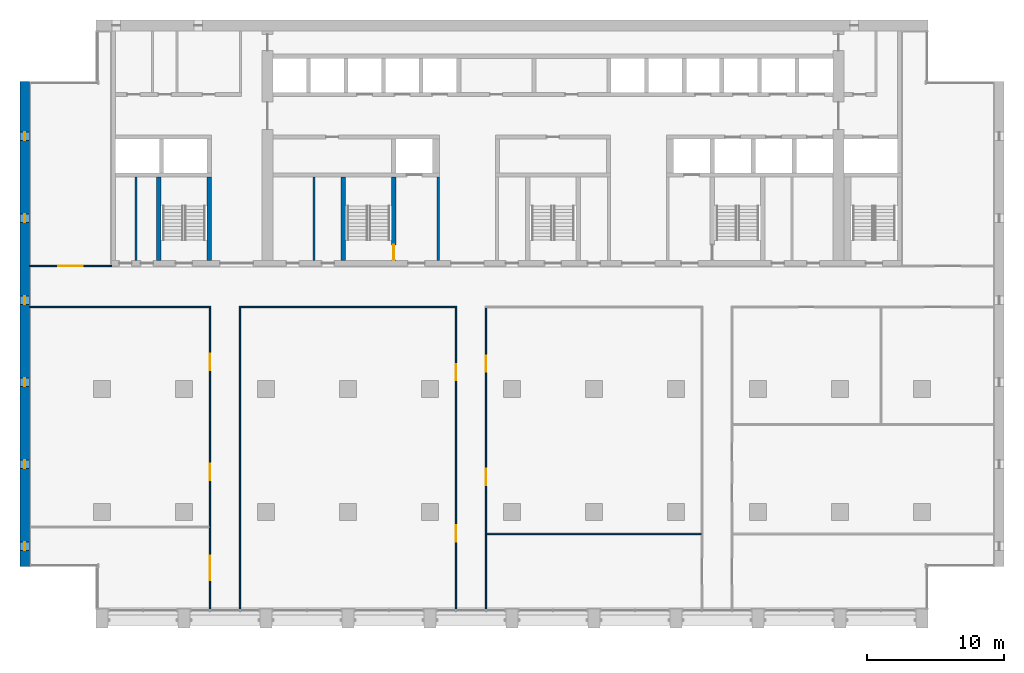
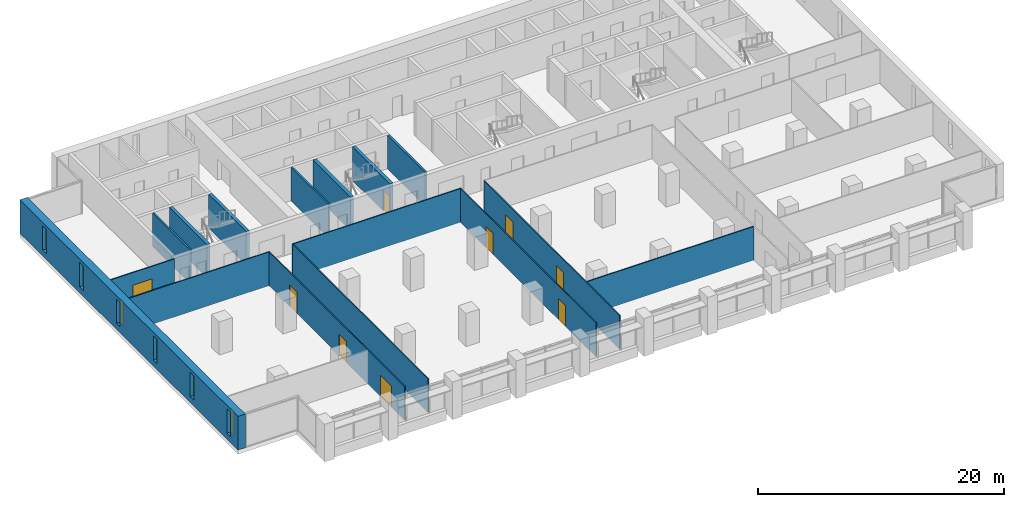
# One storey, part 8 of 16: 16 walls, 9 doors, 6 windows, 15 openings.
"""IFC4 building model written with IfcOpenShell, lengths in metres."""

from ifc_helpers import new_model, si_unit, direction, frame, frame_2d, origin, place, context, subcontext, project, spatial, rectangle, extrude, material, layer, layer_set, type_object, element, fill, save


model = new_model("IFC4")

# Units and contexts
model_context = context("Model", 3, precision=1e-05, world=origin(), true_north=direction((0.0, 1.0)))
body_context = subcontext(model_context, "Body", "Model", "MODEL_VIEW")
ifc_project = project(units=[si_unit("LENGTHUNIT", "METRE"), si_unit("AREAUNIT", "SQUARE_METRE"), si_unit("VOLUMEUNIT", "CUBIC_METRE"), si_unit("PLANEANGLEUNIT", "RADIAN"), si_unit("MASSUNIT", "GRAM", prefix="KILO")], contexts=[model_context])

# Site, building, storey
site_placement = place(None, origin())
site = spatial("IfcSite", under=ifc_project, at=site_placement, CompositionType="ELEMENT")
building_placement = place(site_placement, origin())
building = spatial("IfcBuilding", under=site, at=building_placement, Name="Calvaro Tower", CompositionType="ELEMENT")
storey_placement = place(building_placement, frame((0.0, 0.0, 140.0)))
storey = spatial("IfcBuildingStorey", under=building, at=storey_placement, Name="L35", CompositionType="ELEMENT", Elevation=140.0)

# Walls
ifc_material_1 = material(Name="Blockwork partition", Category="masonry")
ifc_layer_1 = layer(ifc_material_1, 0.14990234375)
ifc_layer_set_1 = layer_set([ifc_layer_1], Name="Blockwork partition")
wall_type_1 = type_object("IfcWallType", Name="Core partition 150 EI 60", PredefinedType="PARTITIONING", material=ifc_layer_set_1)
wall_1_placement = place(storey_placement, frame((8.5, 28.39990234375, 0.0), z_axis=(0.0, 0.0, 1.0), x_axis=(0.0, 1.0, 0.0)))
element("IfcWall", 1, at=wall_1_placement, inside=storey, type_object=wall_type_1, Name="Core partition", PredefinedType="PARTITIONING", context=body_context, shape_type="SweptSolid", body=[
    extrude(rectangle(XDim=6.10009765625, YDim=0.14990234375, at=frame_2d((3.050048828125, 0.0))), origin(), (0.0, 0.0, 1.0), 3.35009765625),
])
ifc_material_2 = material(Name="Blockwork partition", Category="masonry")
ifc_layer_2 = layer(ifc_material_2, 0.14990234375)
ifc_layer_set_2 = layer_set([ifc_layer_2], Name="Blockwork partition")
wall_type_2 = type_object("IfcWallType", Name="Core partition 150 REI 120", PredefinedType="PARTITIONING", material=ifc_layer_set_2)
wall_2_placement = place(storey_placement, frame((21.5, 28.39990234375, 0.0), z_axis=(0.0, 0.0, 1.0), x_axis=(0.0, 1.0, 0.0)))
element("IfcWall", 2, at=wall_2_placement, inside=storey, type_object=wall_type_2, Name="Core partition", PredefinedType="PARTITIONING", context=body_context, shape_type="SweptSolid", body=[
    extrude(rectangle(XDim=6.10009765625, YDim=0.14990234375, at=frame_2d((3.050048828125, 0.0))), origin(), (0.0, 0.0, 1.0), 3.35009765625),
])
ifc_material_3 = material(Name="Blockwork partition", Category="masonry")
ifc_layer_3 = layer(ifc_material_3, 0.199951171875)
ifc_layer_set_3 = layer_set([ifc_layer_3], Name="Blockwork partition")
wall_type_3 = type_object("IfcWallType", Name="Core partition 200 REI 120", PredefinedType="PARTITIONING", material=ifc_layer_set_3)
wall_3_placement = place(storey_placement, frame((30.60009765625, 28.39990234375, 0.0), z_axis=(0.0, 0.0, 1.0), x_axis=(0.0, 1.0, 0.0)))
element("IfcWall", 3, at=wall_3_placement, inside=storey, type_object=wall_type_3, Name="Core partition", PredefinedType="PARTITIONING", context=body_context, shape_type="SweptSolid", body=[
    extrude(rectangle(XDim=6.10009765625, YDim=0.199951171875, at=frame_2d((3.050048828125, 0.0))), origin(), (0.0, 0.0, 1.0), 3.35009765625),
])
ifc_material_4 = material(Name="Concrete C60/75", Category="concrete")
ifc_layer_4 = layer(ifc_material_4, 0.300048828125)
ifc_layer_set_4 = layer_set([ifc_layer_4], Name="Concrete C60/75")
wall_type_4 = type_object("IfcWallType", Name="Core wall C60/75 300", PredefinedType="SHEAR", material=ifc_layer_set_4)
for number, where, z_axis, x_axis, name in (
    (4, (10.14990234375, 28.39990234375, 0.0), (0.0, 0.0, 1.0), (0.0, 1.0, 0.0), "Core wall, stair enclosure"),
    (5, (13.85009765625, 28.39990234375, 0.0), (0.0, 0.0, 1.0), (0.0, 1.0, 0.0), "Core wall, stair enclosure"),
    (6, (23.64990234375, 28.39990234375, 0.0), (0.0, 0.0, 1.0), (0.0, 1.0, 0.0), "Core wall, stair enclosure"),
):
    element("IfcWall", number, at=place(storey_placement, frame(where, z_axis=z_axis, x_axis=x_axis)), inside=storey, type_object=wall_type_4, Name=name, PredefinedType="SHEAR", context=body_context, shape_type="SweptSolid", body=[
        extrude(rectangle(XDim=6.10009765625, YDim=0.300048828125, at=frame_2d((3.050048828125, 0.0))), origin(), (0.0, 0.0, 1.0), 3.35009765625),
    ])

# Wall, opening, door
wall_4_placement = place(storey_placement, frame((27.35009765625, 28.39990234375, 0.0), z_axis=(0.0, 0.0, 1.0), x_axis=(0.0, 1.0, 0.0)))
wall_4 = element("IfcWall", 7, at=wall_4_placement, inside=storey, type_object=wall_type_4, Name="Core wall, stair enclosure", PredefinedType="SHEAR", context=body_context, shape_type="SweptSolid", body=[
    extrude(rectangle(XDim=6.10009765625, YDim=0.300048828125, at=frame_2d((3.050048828125, 0.0))), origin(), (0.0, 0.0, 1.0), 3.35009765625),
])
opening_1_placement = place(wall_4_placement, frame((0.050048828125, 0.0, 0.0)))
opening_1 = element("IfcOpeningElement", 8, at=opening_1_placement, cuts=wall_4, Name="Opening FD11D", PredefinedType="OPENING", context=body_context, shape_type="SweptSolid", body=[
    extrude(rectangle(XDim=1.10009765625, YDim=2.10009765625, at=frame_2d((0.550048828125, 1.050048828125))), frame((0.0, 0.159912109375, 0.0), z_axis=(0.0, -1.0, 0.0), x_axis=(1.0, 0.0, 0.0)), (0.0, 0.0, 1.0), 0.320068359375),
])
ifc_material_5 = material(Name="Steel door set", Category="steel")
door_type_1 = type_object("IfcDoorType", Name="Fire door 1100 FD30S", OperationType="SINGLE_SWING_LEFT", PredefinedType="DOOR", material=ifc_material_5)
door_1_placement = place(opening_1_placement, origin())
door_1 = element("IfcDoor", 9, at=door_1_placement, inside=storey, type_object=door_type_1, Name="Fire door", OperationType="SINGLE_SWING_LEFT", OverallHeight=2.10009765625, OverallWidth=1.10009765625, PredefinedType="DOOR", context=body_context, shape_type="SweptSolid", body=[
    extrude(rectangle(XDim=1.10009765625, YDim=2.10009765625, at=frame_2d((0.550048828125, 1.050048828125))), frame((0.0, 0.02490234375, 0.0), z_axis=(0.0, -1.0, 0.0), x_axis=(1.0, 0.0, 0.0)), (0.0, 0.0, 1.0), 0.050048828125),
])
fill(opening_1, door_1)

# Wall, openings, windows
ifc_material_6 = material(Name="Concrete C60/75", Category="concrete")
ifc_layer_5 = layer(ifc_material_6, 0.699951171875)
ifc_layer_set_5 = layer_set([ifc_layer_5], Name="Concrete C60/75")
wall_type_5 = type_object("IfcWallType", Name="End wall 700 C60/75", PredefinedType="SHEAR", material=ifc_layer_set_5)
wall_5_placement = place(storey_placement, frame((0.35009765625, 6.0, 0.0), z_axis=(0.0, 0.0, 1.0), x_axis=(0.0, 1.0, 0.0)))
wall_5 = element("IfcWall", 10, at=wall_5_placement, inside=storey, type_object=wall_type_5, Name="End shear wall", PredefinedType="SHEAR", context=body_context, shape_type="SweptSolid", body=[
    extrude(rectangle(XDim=35.5, YDim=0.699951171875, at=frame_2d((17.75, 0.0))), origin(), (0.0, 0.0, 1.0), 3.35009765625),
])
opening_2_placement = place(wall_5_placement, frame((1.199951171875, 0.0, 0.60009765625)))
opening_2 = element("IfcOpeningElement", 11, at=opening_2_placement, cuts=wall_5, Name="Opening WW01", PredefinedType="OPENING", context=body_context, shape_type="SweptSolid", body=[
    extrude(rectangle(XDim=0.60009765625, YDim=2.39990234375, at=frame_2d((0.300048828125, 1.199951171875))), frame((0.0, 0.35986328125, 0.0), z_axis=(0.0, -1.0, 0.0), x_axis=(1.0, 0.0, 0.0)), (0.0, 0.0, 1.0), 0.719970703125),
])
opening_3_placement = place(wall_5_placement, frame((7.199951171875, 0.0, 0.60009765625)))
opening_3 = element("IfcOpeningElement", 12, at=opening_3_placement, cuts=wall_5, Name="Opening WW02", PredefinedType="OPENING", context=body_context, shape_type="SweptSolid", body=[
    extrude(rectangle(XDim=0.60009765625, YDim=2.39990234375, at=frame_2d((0.300048828125, 1.199951171875))), frame((0.0, 0.35986328125, 0.0), z_axis=(0.0, -1.0, 0.0), x_axis=(1.0, 0.0, 0.0)), (0.0, 0.0, 1.0), 0.719970703125),
])
opening_4_placement = place(wall_5_placement, frame((13.199951171875, 0.0, 0.60009765625)))
opening_4 = element("IfcOpeningElement", 13, at=opening_4_placement, cuts=wall_5, Name="Opening WW03", PredefinedType="OPENING", context=body_context, shape_type="SweptSolid", body=[
    extrude(rectangle(XDim=0.60009765625, YDim=2.39990234375, at=frame_2d((0.300048828125, 1.199951171875))), frame((0.0, 0.35986328125, 0.0), z_axis=(0.0, -1.0, 0.0), x_axis=(1.0, 0.0, 0.0)), (0.0, 0.0, 1.0), 0.719970703125),
])
opening_5_placement = place(wall_5_placement, frame((19.199951171875, 0.0, 0.60009765625)))
opening_5 = element("IfcOpeningElement", 14, at=opening_5_placement, cuts=wall_5, Name="Opening WW04", PredefinedType="OPENING", context=body_context, shape_type="SweptSolid", body=[
    extrude(rectangle(XDim=0.60009765625, YDim=2.39990234375, at=frame_2d((0.300048828125, 1.199951171875))), frame((0.0, 0.35986328125, 0.0), z_axis=(0.0, -1.0, 0.0), x_axis=(1.0, 0.0, 0.0)), (0.0, 0.0, 1.0), 0.719970703125),
])
opening_6_placement = place(wall_5_placement, frame((25.199951171875, 0.0, 0.60009765625)))
opening_6 = element("IfcOpeningElement", 15, at=opening_6_placement, cuts=wall_5, Name="Opening WW05", PredefinedType="OPENING", context=body_context, shape_type="SweptSolid", body=[
    extrude(rectangle(XDim=0.60009765625, YDim=2.39990234375, at=frame_2d((0.300048828125, 1.199951171875))), frame((0.0, 0.35986328125, 0.0), z_axis=(0.0, -1.0, 0.0), x_axis=(1.0, 0.0, 0.0)), (0.0, 0.0, 1.0), 0.719970703125),
])
opening_7_placement = place(wall_5_placement, frame((31.199951171875, 0.0, 0.60009765625)))
opening_7 = element("IfcOpeningElement", 16, at=opening_7_placement, cuts=wall_5, Name="Opening WW06", PredefinedType="OPENING", context=body_context, shape_type="SweptSolid", body=[
    extrude(rectangle(XDim=0.60009765625, YDim=2.39990234375, at=frame_2d((0.300048828125, 1.199951171875))), frame((0.0, 0.35986328125, 0.0), z_axis=(0.0, -1.0, 0.0), x_axis=(1.0, 0.0, 0.0)), (0.0, 0.0, 1.0), 0.719970703125),
])
ifc_material_7 = material(Name="Glass", Category="glass")
window_type = type_object("IfcWindowType", Name="Slit window 600 x 2400", PartitioningType="SINGLE_PANEL", PredefinedType="WINDOW", material=ifc_material_7)
window_1_placement = place(opening_2_placement, origin())
window_1 = element("IfcWindow", 17, at=window_1_placement, inside=storey, type_object=window_type, Name="Window WW01", OverallHeight=2.39990234375, OverallWidth=0.60009765625, PartitioningType="SINGLE_PANEL", PredefinedType="WINDOW", context=body_context, shape_type="SweptSolid", body=[
    extrude(rectangle(XDim=0.60009765625, YDim=2.39990234375, at=frame_2d((0.300048828125, 1.199951171875))), frame((0.0, 0.030029296875, 0.0), z_axis=(0.0, -1.0, 0.0), x_axis=(1.0, 0.0, 0.0)), (0.0, 0.0, 1.0), 0.06005859375),
])
fill(opening_2, window_1)
window_2_placement = place(opening_3_placement, origin())
window_2 = element("IfcWindow", 18, at=window_2_placement, inside=storey, type_object=window_type, Name="Window WW02", OverallHeight=2.39990234375, OverallWidth=0.60009765625, PartitioningType="SINGLE_PANEL", PredefinedType="WINDOW", context=body_context, shape_type="SweptSolid", body=[
    extrude(rectangle(XDim=0.60009765625, YDim=2.39990234375, at=frame_2d((0.300048828125, 1.199951171875))), frame((0.0, 0.030029296875, 0.0), z_axis=(0.0, -1.0, 0.0), x_axis=(1.0, 0.0, 0.0)), (0.0, 0.0, 1.0), 0.06005859375),
])
fill(opening_3, window_2)
window_3_placement = place(opening_4_placement, origin())
window_3 = element("IfcWindow", 19, at=window_3_placement, inside=storey, type_object=window_type, Name="Window WW03", OverallHeight=2.39990234375, OverallWidth=0.60009765625, PartitioningType="SINGLE_PANEL", PredefinedType="WINDOW", context=body_context, shape_type="SweptSolid", body=[
    extrude(rectangle(XDim=0.60009765625, YDim=2.39990234375, at=frame_2d((0.300048828125, 1.199951171875))), frame((0.0, 0.030029296875, 0.0), z_axis=(0.0, -1.0, 0.0), x_axis=(1.0, 0.0, 0.0)), (0.0, 0.0, 1.0), 0.06005859375),
])
fill(opening_4, window_3)
window_4_placement = place(opening_5_placement, origin())
window_4 = element("IfcWindow", 20, at=window_4_placement, inside=storey, type_object=window_type, Name="Window WW04", OverallHeight=2.39990234375, OverallWidth=0.60009765625, PartitioningType="SINGLE_PANEL", PredefinedType="WINDOW", context=body_context, shape_type="SweptSolid", body=[
    extrude(rectangle(XDim=0.60009765625, YDim=2.39990234375, at=frame_2d((0.300048828125, 1.199951171875))), frame((0.0, 0.030029296875, 0.0), z_axis=(0.0, -1.0, 0.0), x_axis=(1.0, 0.0, 0.0)), (0.0, 0.0, 1.0), 0.06005859375),
])
fill(opening_5, window_4)
window_5_placement = place(opening_6_placement, origin())
window_5 = element("IfcWindow", 21, at=window_5_placement, inside=storey, type_object=window_type, Name="Window WW05", OverallHeight=2.39990234375, OverallWidth=0.60009765625, PartitioningType="SINGLE_PANEL", PredefinedType="WINDOW", context=body_context, shape_type="SweptSolid", body=[
    extrude(rectangle(XDim=0.60009765625, YDim=2.39990234375, at=frame_2d((0.300048828125, 1.199951171875))), frame((0.0, 0.030029296875, 0.0), z_axis=(0.0, -1.0, 0.0), x_axis=(1.0, 0.0, 0.0)), (0.0, 0.0, 1.0), 0.06005859375),
])
fill(opening_6, window_5)
window_6_placement = place(opening_7_placement, origin())
window_6 = element("IfcWindow", 22, at=window_6_placement, inside=storey, type_object=window_type, Name="Window WW06", OverallHeight=2.39990234375, OverallWidth=0.60009765625, PartitioningType="SINGLE_PANEL", PredefinedType="WINDOW", context=body_context, shape_type="SweptSolid", body=[
    extrude(rectangle(XDim=0.60009765625, YDim=2.39990234375, at=frame_2d((0.300048828125, 1.199951171875))), frame((0.0, 0.030029296875, 0.0), z_axis=(0.0, -1.0, 0.0), x_axis=(1.0, 0.0, 0.0)), (0.0, 0.0, 1.0), 0.06005859375),
])
fill(opening_7, window_6)

# Walls
ifc_material_8 = material(Name="Plasterboard on steel studs", Category="steel")
ifc_layer_6 = layer(ifc_material_8, 0.10009765625)
ifc_layer_set_6 = layer_set([ifc_layer_6], Name="Plasterboard on steel studs")
wall_type_6 = type_object("IfcWallType", Name="Partition 100", PredefinedType="PARTITIONING", material=ifc_layer_set_6)
wall_6_placement = place(storey_placement, frame((34.14990234375, 8.39990234375, 0.0), z_axis=(0.0, 0.0, 1.0), x_axis=(1.0, 0.0, 0.0)))
element("IfcWall", 23, at=wall_6_placement, inside=storey, type_object=wall_type_6, Name="Partition T21.W001", PredefinedType="PARTITIONING", context=body_context, shape_type="SweptSolid", body=[
    extrude(rectangle(XDim=15.7001953125, YDim=0.10009765625, at=frame_2d((7.85009765625, 0.0))), origin(), (0.0, 0.0, 1.0), 3.35009765625),
])
wall_7_placement = place(storey_placement, frame((0.699951171875, 25.0, 0.0), z_axis=(0.0, 0.0, 1.0), x_axis=(1.0, 0.0, 0.0)))
element("IfcWall", 24, at=wall_7_placement, inside=storey, type_object=wall_type_6, Name="Partition T21.W005", PredefinedType="PARTITIONING", context=body_context, shape_type="SweptSolid", body=[
    extrude(rectangle(XDim=13.25, YDim=0.10009765625, at=frame_2d((6.625, 0.0))), origin(), (0.0, 0.0, 1.0), 3.35009765625),
])
wall_8_placement = place(storey_placement, frame((16.050048828125, 25.0, 0.0), z_axis=(0.0, 0.0, 1.0), x_axis=(1.0, 0.0, 0.0)))
element("IfcWall", 25, at=wall_8_placement, inside=storey, type_object=wall_type_6, Name="Partition T21.W006", PredefinedType="PARTITIONING", context=body_context, shape_type="SweptSolid", body=[
    extrude(rectangle(XDim=15.89990234375, YDim=0.10009765625, at=frame_2d((7.949951171875, 0.0))), origin(), (0.0, 0.0, 1.0), 3.35009765625),
])

# Wall, opening, door
wall_9_placement = place(storey_placement, frame((0.699951171875, 28.0, 0.0), z_axis=(0.0, 0.0, 1.0), x_axis=(1.0, 0.0, 0.0)))
wall_9 = element("IfcWall", 26, at=wall_9_placement, inside=storey, type_object=wall_type_6, Name="Partition T21.W009", PredefinedType="PARTITIONING", context=body_context, shape_type="SweptSolid", body=[
    extrude(rectangle(XDim=6.0, YDim=0.10009765625, at=frame_2d((3.0, 0.0))), origin(), (0.0, 0.0, 1.0), 3.35009765625),
])
opening_8_placement = place(wall_9_placement, frame((2.10009765625, 0.0, 0.0)))
opening_8 = element("IfcOpeningElement", 27, at=opening_8_placement, cuts=wall_9, Name="Opening T21.014", PredefinedType="OPENING", context=body_context, shape_type="SweptSolid", body=[
    extrude(rectangle(XDim=1.800048828125, YDim=2.10009765625, at=frame_2d((0.89990234375, 1.050048828125))), frame((0.0, 0.06005859375, 0.0), z_axis=(0.0, -1.0, 0.0), x_axis=(1.0, 0.0, 0.0)), (0.0, 0.0, 1.0), 0.1201171875),
])
ifc_material_9 = material(Name="Timber", Category="wood")
door_type_2 = type_object("IfcDoorType", Name="Internal double door 1800 x 2100", OperationType="DOUBLE_DOOR_SINGLE_SWING", PredefinedType="DOOR", material=ifc_material_9)
door_2_placement = place(opening_8_placement, origin())
door_2 = element("IfcDoor", 28, at=door_2_placement, inside=storey, type_object=door_type_2, Name="Door T21.014", OperationType="DOUBLE_DOOR_SINGLE_SWING", OverallHeight=2.10009765625, OverallWidth=1.800048828125, PredefinedType="DOOR", context=body_context, shape_type="SweptSolid", body=[
    extrude(rectangle(XDim=1.800048828125, YDim=2.10009765625, at=frame_2d((0.89990234375, 1.050048828125))), frame((0.0, 0.02490234375, 0.0), z_axis=(0.0, -1.0, 0.0), x_axis=(1.0, 0.0, 0.0)), (0.0, 0.0, 1.0), 0.050048828125),
])
fill(opening_8, door_2)

# Wall, openings, doors
wall_10_placement = place(storey_placement, frame((13.89990234375, 2.89990234375, 0.0), z_axis=(0.0, 0.0, 1.0), x_axis=(0.0, 1.0, 0.0)))
wall_10 = element("IfcWall", 29, at=wall_10_placement, inside=storey, type_object=wall_type_6, Name="Partition T21.W011", PredefinedType="PARTITIONING", context=body_context, shape_type="SweptSolid", body=[
    extrude(rectangle(XDim=22.050048828125, YDim=0.10009765625, at=frame_2d((11.02490234375, 0.0))), origin(), (0.0, 0.0, 1.0), 3.35009765625),
])
opening_9_placement = place(wall_10_placement, frame((2.10009765625, 0.0, 0.0)))
opening_9 = element("IfcOpeningElement", 30, at=opening_9_placement, cuts=wall_10, Name="Opening T21.003", PredefinedType="OPENING", context=body_context, shape_type="SweptSolid", body=[
    extrude(rectangle(XDim=1.800048828125, YDim=2.10009765625, at=frame_2d((0.89990234375, 1.050048828125))), frame((0.0, 0.06005859375, 0.0), z_axis=(0.0, -1.0, 0.0), x_axis=(1.0, 0.0, 0.0)), (0.0, 0.0, 1.0), 0.1201171875),
])
opening_10_placement = place(wall_10_placement, frame((9.425048828125, 0.0, 0.0)))
opening_10 = element("IfcOpeningElement", 31, at=opening_10_placement, cuts=wall_10, Name="Opening T21.010", PredefinedType="OPENING", context=body_context, shape_type="SweptSolid", body=[
    extrude(rectangle(XDim=1.199951171875, YDim=2.10009765625, at=frame_2d((0.60009765625, 1.050048828125))), frame((0.0, 0.06005859375, 0.0), z_axis=(0.0, -1.0, 0.0), x_axis=(1.0, 0.0, 0.0)), (0.0, 0.0, 1.0), 0.1201171875),
])
opening_11_placement = place(wall_10_placement, frame((17.47509765625, 0.0, 0.0)))
opening_11 = element("IfcOpeningElement", 32, at=opening_11_placement, cuts=wall_10, Name="Opening T21.011", PredefinedType="OPENING", context=body_context, shape_type="SweptSolid", body=[
    extrude(rectangle(XDim=1.199951171875, YDim=2.10009765625, at=frame_2d((0.60009765625, 1.050048828125))), frame((0.0, 0.06005859375, 0.0), z_axis=(0.0, -1.0, 0.0), x_axis=(1.0, 0.0, 0.0)), (0.0, 0.0, 1.0), 0.1201171875),
])
door_3_placement = place(opening_9_placement, origin())
door_3 = element("IfcDoor", 33, at=door_3_placement, inside=storey, type_object=door_type_2, Name="Door T21.003", OperationType="DOUBLE_DOOR_SINGLE_SWING", OverallHeight=2.10009765625, OverallWidth=1.800048828125, PredefinedType="DOOR", context=body_context, shape_type="SweptSolid", body=[
    extrude(rectangle(XDim=1.800048828125, YDim=2.10009765625, at=frame_2d((0.89990234375, 1.050048828125))), frame((0.0, 0.02490234375, 0.0), z_axis=(0.0, -1.0, 0.0), x_axis=(1.0, 0.0, 0.0)), (0.0, 0.0, 1.0), 0.050048828125),
])
fill(opening_9, door_3)
ifc_material_10 = material(Name="Timber", Category="wood")
door_type_3 = type_object("IfcDoorType", Name="Internal single door 1200 x 2100", OperationType="SINGLE_SWING_LEFT", PredefinedType="DOOR", material=ifc_material_10)
door_4_placement = place(opening_10_placement, origin())
door_4 = element("IfcDoor", 34, at=door_4_placement, inside=storey, type_object=door_type_3, Name="Door T21.010", OperationType="SINGLE_SWING_LEFT", OverallHeight=2.10009765625, OverallWidth=1.199951171875, PredefinedType="DOOR", context=body_context, shape_type="SweptSolid", body=[
    extrude(rectangle(XDim=1.199951171875, YDim=2.10009765625, at=frame_2d((0.60009765625, 1.050048828125))), frame((0.0, 0.02490234375, 0.0), z_axis=(0.0, -1.0, 0.0), x_axis=(1.0, 0.0, 0.0)), (0.0, 0.0, 1.0), 0.050048828125),
])
fill(opening_10, door_4)
door_5_placement = place(opening_11_placement, origin())
door_5 = element("IfcDoor", 35, at=door_5_placement, inside=storey, type_object=door_type_3, Name="Door T21.011", OperationType="SINGLE_SWING_RIGHT", OverallHeight=2.10009765625, OverallWidth=1.199951171875, PredefinedType="DOOR", context=body_context, shape_type="SweptSolid", body=[
    extrude(rectangle(XDim=1.199951171875, YDim=2.10009765625, at=frame_2d((0.60009765625, 1.050048828125))), frame((0.0, 0.02490234375, 0.0), z_axis=(0.0, -1.0, 0.0), x_axis=(1.0, 0.0, 0.0)), (0.0, 0.0, 1.0), 0.050048828125),
])
fill(opening_11, door_5)

# Wall
wall_11_placement = place(storey_placement, frame((16.10009765625, 2.89990234375, 0.0), z_axis=(0.0, 0.0, 1.0), x_axis=(0.0, 1.0, 0.0)))
element("IfcWall", 36, at=wall_11_placement, inside=storey, type_object=wall_type_6, Name="Partition T21.W012", PredefinedType="PARTITIONING", context=body_context, shape_type="SweptSolid", body=[
    extrude(rectangle(XDim=22.050048828125, YDim=0.10009765625, at=frame_2d((11.02490234375, 0.0))), origin(), (0.0, 0.0, 1.0), 3.35009765625),
])

# Wall, openings, doors
wall_12_placement = place(storey_placement, frame((31.89990234375, 2.89990234375, 0.0), z_axis=(0.0, 0.0, 1.0), x_axis=(0.0, 1.0, 0.0)))
wall_12 = element("IfcWall", 37, at=wall_12_placement, inside=storey, type_object=wall_type_6, Name="Partition T21.W013", PredefinedType="PARTITIONING", context=body_context, shape_type="SweptSolid", body=[
    extrude(rectangle(XDim=22.050048828125, YDim=0.10009765625, at=frame_2d((11.02490234375, 0.0))), origin(), (0.0, 0.0, 1.0), 3.35009765625),
])
opening_12_placement = place(wall_12_placement, frame((4.925048828125, 0.0, 0.0)))
opening_12 = element("IfcOpeningElement", 38, at=opening_12_placement, cuts=wall_12, Name="Opening T21.006", PredefinedType="OPENING", context=body_context, shape_type="SweptSolid", body=[
    extrude(rectangle(XDim=1.199951171875, YDim=2.10009765625, at=frame_2d((0.60009765625, 1.050048828125))), frame((0.0, 0.06005859375, 0.0), z_axis=(0.0, -1.0, 0.0), x_axis=(1.0, 0.0, 0.0)), (0.0, 0.0, 1.0), 0.1201171875),
])
opening_13_placement = place(wall_12_placement, frame((16.72509765625, 0.0, 0.0)))
opening_13 = element("IfcOpeningElement", 39, at=opening_13_placement, cuts=wall_12, Name="Opening T21.007", PredefinedType="OPENING", context=body_context, shape_type="SweptSolid", body=[
    extrude(rectangle(XDim=1.199951171875, YDim=2.10009765625, at=frame_2d((0.60009765625, 1.050048828125))), frame((0.0, 0.06005859375, 0.0), z_axis=(0.0, -1.0, 0.0), x_axis=(1.0, 0.0, 0.0)), (0.0, 0.0, 1.0), 0.1201171875),
])
door_6_placement = place(opening_12_placement, origin())
door_6 = element("IfcDoor", 40, at=door_6_placement, inside=storey, type_object=door_type_3, Name="Door T21.006", OperationType="SINGLE_SWING_LEFT", OverallHeight=2.10009765625, OverallWidth=1.199951171875, PredefinedType="DOOR", context=body_context, shape_type="SweptSolid", body=[
    extrude(rectangle(XDim=1.199951171875, YDim=2.10009765625, at=frame_2d((0.60009765625, 1.050048828125))), frame((0.0, 0.02490234375, 0.0), z_axis=(0.0, -1.0, 0.0), x_axis=(1.0, 0.0, 0.0)), (0.0, 0.0, 1.0), 0.050048828125),
])
fill(opening_12, door_6)
door_7_placement = place(opening_13_placement, origin())
door_7 = element("IfcDoor", 41, at=door_7_placement, inside=storey, type_object=door_type_3, Name="Door T21.007", OperationType="SINGLE_SWING_RIGHT", OverallHeight=2.10009765625, OverallWidth=1.199951171875, PredefinedType="DOOR", context=body_context, shape_type="SweptSolid", body=[
    extrude(rectangle(XDim=1.199951171875, YDim=2.10009765625, at=frame_2d((0.60009765625, 1.050048828125))), frame((0.0, 0.02490234375, 0.0), z_axis=(0.0, -1.0, 0.0), x_axis=(1.0, 0.0, 0.0)), (0.0, 0.0, 1.0), 0.050048828125),
])
fill(opening_13, door_7)

wall_13_placement = place(storey_placement, frame((34.10009765625, 2.89990234375, 0.0), z_axis=(0.0, 0.0, 1.0), x_axis=(0.0, 1.0, 0.0)))
wall_13 = element("IfcWall", 42, at=wall_13_placement, inside=storey, type_object=wall_type_6, Name="Partition T21.W014", PredefinedType="PARTITIONING", context=body_context, shape_type="SweptSolid", body=[
    extrude(rectangle(XDim=22.050048828125, YDim=0.10009765625, at=frame_2d((11.02490234375, 0.0))), origin(), (0.0, 0.0, 1.0), 3.35009765625),
])
opening_14_placement = place(wall_13_placement, frame((9.050048828125, 0.0, 0.0)))
opening_14 = element("IfcOpeningElement", 43, at=opening_14_placement, cuts=wall_13, Name="Opening T21.008", PredefinedType="OPENING", context=body_context, shape_type="SweptSolid", body=[
    extrude(rectangle(XDim=1.199951171875, YDim=2.10009765625, at=frame_2d((0.60009765625, 1.050048828125))), frame((0.0, 0.06005859375, 0.0), z_axis=(0.0, -1.0, 0.0), x_axis=(1.0, 0.0, 0.0)), (0.0, 0.0, 1.0), 0.1201171875),
])
opening_15_placement = place(wall_13_placement, frame((17.35009765625, 0.0, 0.0)))
opening_15 = element("IfcOpeningElement", 44, at=opening_15_placement, cuts=wall_13, Name="Opening T21.009", PredefinedType="OPENING", context=body_context, shape_type="SweptSolid", body=[
    extrude(rectangle(XDim=1.199951171875, YDim=2.10009765625, at=frame_2d((0.60009765625, 1.050048828125))), frame((0.0, 0.06005859375, 0.0), z_axis=(0.0, -1.0, 0.0), x_axis=(1.0, 0.0, 0.0)), (0.0, 0.0, 1.0), 0.1201171875),
])
door_8_placement = place(opening_14_placement, origin())
door_8 = element("IfcDoor", 45, at=door_8_placement, inside=storey, type_object=door_type_3, Name="Door T21.008", OperationType="SINGLE_SWING_LEFT", OverallHeight=2.10009765625, OverallWidth=1.199951171875, PredefinedType="DOOR", context=body_context, shape_type="SweptSolid", body=[
    extrude(rectangle(XDim=1.199951171875, YDim=2.10009765625, at=frame_2d((0.60009765625, 1.050048828125))), frame((0.0, 0.02490234375, 0.0), z_axis=(0.0, -1.0, 0.0), x_axis=(1.0, 0.0, 0.0)), (0.0, 0.0, 1.0), 0.050048828125),
])
fill(opening_14, door_8)
door_9_placement = place(opening_15_placement, origin())
door_9 = element("IfcDoor", 46, at=door_9_placement, inside=storey, type_object=door_type_3, Name="Door T21.009", OperationType="SINGLE_SWING_RIGHT", OverallHeight=2.10009765625, OverallWidth=1.199951171875, PredefinedType="DOOR", context=body_context, shape_type="SweptSolid", body=[
    extrude(rectangle(XDim=1.199951171875, YDim=2.10009765625, at=frame_2d((0.60009765625, 1.050048828125))), frame((0.0, 0.02490234375, 0.0), z_axis=(0.0, -1.0, 0.0), x_axis=(1.0, 0.0, 0.0)), (0.0, 0.0, 1.0), 0.050048828125),
])
fill(opening_15, door_9)

save(model, "model.ifc")
